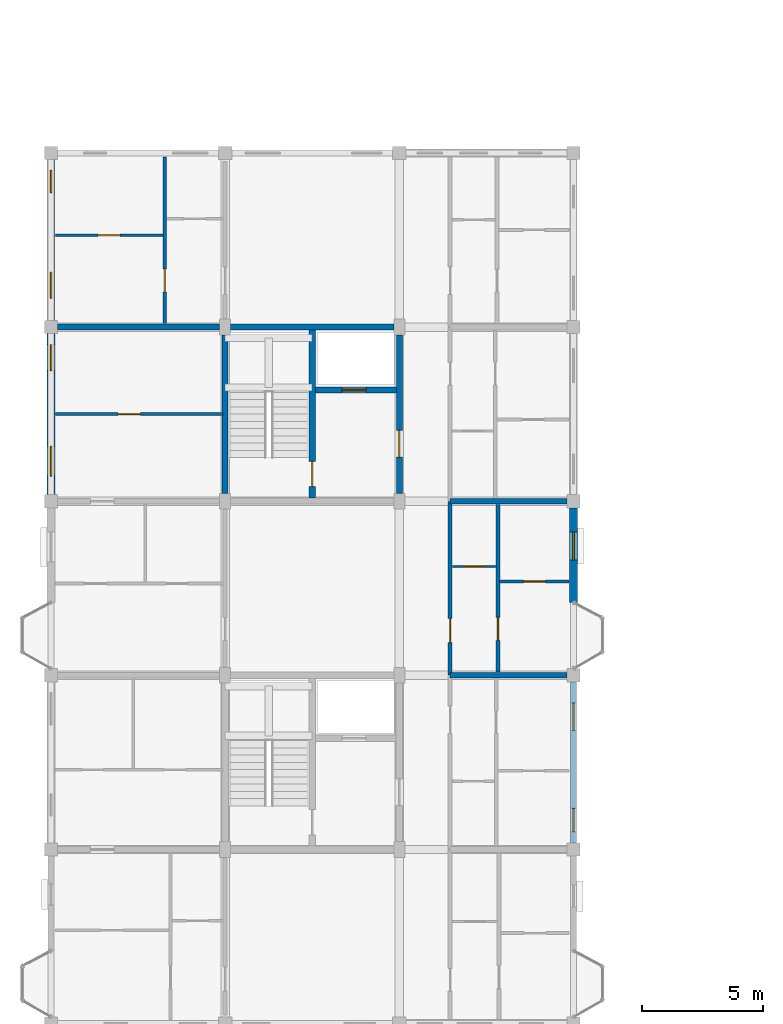
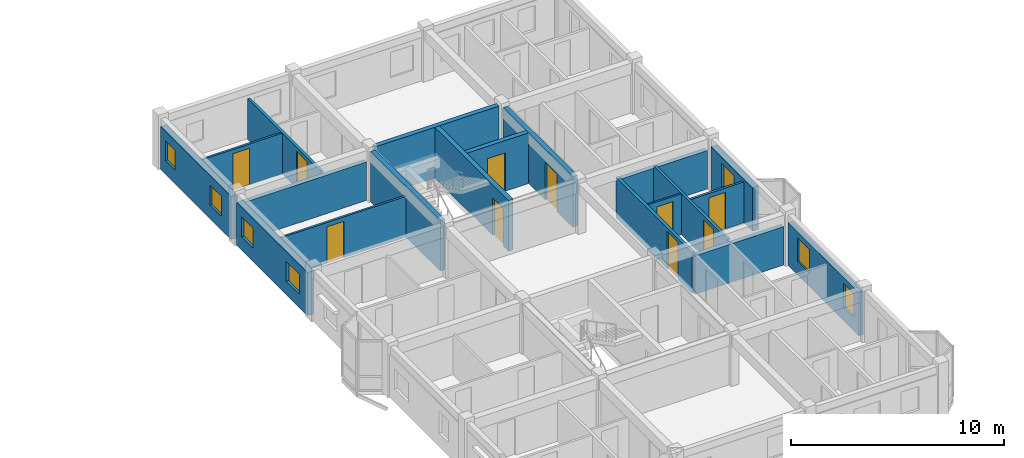
# One storey, part 57 of 77: 19 walls, 10 doors, 7 windows, 17 openings.
"""IFC4 building model written with IfcOpenShell, lengths in metres."""

import ifcopenshell
import ifcopenshell.guid

model = None  # the IFC model being written
_history = None  # IfcOwnerHistory: only IFC2X3 demands one
_inside = {}  # id of a spatial element -> (the spatial element, [elements in it])
_under = {}  # id of a project, library or spatial element -> (it, [spatial elements below it])
_declared = {}  # id of a project -> (the project, [libraries it declares])
_typed = {}  # id of a type object -> (the type object, [elements of that type])
_made_of = {}  # id of a material, layer set ... -> (it, [elements and type objects made of it])


def new_model(schema):
    """Start an empty IFC model of exactly this schema.

    Asked for "IFC4X3", IfcOpenShell would pick the latest addendum, in which some entities
    have other attributes; the version numbers below select the first issue.
    IFC2X3 requires an IfcOwnerHistory on every rooted entity: one is made here for all.
    """
    global model, _history
    if schema == "IFC4X3":
        model = ifcopenshell.file(schema_version=(4, 3, 0, 0))
    else:
        model = ifcopenshell.file(schema=schema)
    _inside.clear()
    _under.clear()
    _declared.clear()
    _typed.clear()
    _made_of.clear()
    _history = None
    if model.schema == "IFC2X3":
        org = make("IfcOrganization", Name="unknown")
        user = make(
            "IfcPersonAndOrganization",
            ThePerson=make("IfcPerson", FamilyName="unknown"),
            TheOrganization=org,
        )
        app = make(
            "IfcApplication",
            ApplicationDeveloper=org,
            Version="unknown",
            ApplicationFullName="unknown",
            ApplicationIdentifier="unknown",
        )
        _history = make(
            "IfcOwnerHistory",
            OwningUser=user,
            OwningApplication=app,
            ChangeAction="ADDED",
            CreationDate=0,
        )
    return model


def make(cls, **values):
    """One entity of the class cls with the attributes given. An attribute that is None is left unset."""
    return model.create_entity(
        cls, **{name: value for name, value in values.items() if value is not None}
    )


def rooted(cls, **values):
    """An entity with a GlobalId (a new one), such as an element, a storey or a relation."""
    return make(cls, GlobalId=ifcopenshell.guid.new(), OwnerHistory=_history, **values)


def si_unit(unit_type, name, prefix=None):
    """IfcSIUnit, for example si_unit("LENGTHUNIT", "METRE", prefix="MILLI")."""
    return make("IfcSIUnit", UnitType=unit_type, Prefix=prefix, Name=name)


def assignment(units):
    """IfcUnitAssignment: the units of a project."""
    return None if units is None else make("IfcUnitAssignment", Units=units)


def point(xyz):
    """IfcCartesianPoint."""
    return None if xyz is None else make("IfcCartesianPoint", Coordinates=xyz)


def direction(xyz):
    """IfcDirection."""
    return None if xyz is None else make("IfcDirection", DirectionRatios=xyz)


def frame(location, z_axis=None, x_axis=None):
    """IfcAxis2Placement3D, a coordinate frame: its origin and axes. An axis left out is left unset."""
    return make(
        "IfcAxis2Placement3D",
        Location=point(location),
        Axis=direction(z_axis),
        RefDirection=direction(x_axis),
    )


def frame_2d(location, x_axis=None):
    """IfcAxis2Placement2D, a coordinate frame in the plane: its origin and x axis."""
    return make(
        "IfcAxis2Placement2D", Location=point(location), RefDirection=direction(x_axis)
    )


def origin():
    """The frame at (0, 0, 0) with its axes left unset."""
    return frame((0.0, 0.0, 0.0))


def place(relative_to, where):
    """IfcLocalPlacement: puts the frame where relative to a parent placement (None: the world)."""
    return make(
        "IfcLocalPlacement", PlacementRelTo=relative_to, RelativePlacement=where
    )


def context(
    kind, dimensions, precision=None, world=None, true_north=None, identifier=None
):
    """IfcGeometricRepresentationContext, for example the 3D "Model" context."""
    return make(
        "IfcGeometricRepresentationContext",
        ContextIdentifier=identifier,
        ContextType=kind,
        CoordinateSpaceDimension=dimensions,
        Precision=precision,
        WorldCoordinateSystem=world,
        TrueNorth=true_north,
    )


def subcontext(parent, identifier, kind, view, scale=None):
    """IfcGeometricRepresentationSubContext, for example "Body" below "Model"."""
    return make(
        "IfcGeometricRepresentationSubContext",
        ContextIdentifier=identifier,
        ContextType=kind,
        ParentContext=parent,
        TargetScale=scale,
        TargetView=view,
    )


def project(units=None, contexts=None):
    """IfcProject with its units and contexts."""
    return rooted(
        "IfcProject",
        Name="project",
        RepresentationContexts=contexts,
        UnitsInContext=assignment(units),
    )


def spatial(cls, under=None, at=None, **own):
    """A site, building, storey or space (cls), placed at a placement, below another one or the project."""
    s = rooted(cls, ObjectPlacement=at, **own)
    if under is not None:
        _under.setdefault(under.id(), (under, []))[1].append(s)
    return s


def profile(cls, at=None, kind="AREA", **sizes):
    """A parametric profile (cls). Its sizes go by their IFC names, for example OverallWidth=200.0."""
    return make(cls, ProfileType=kind, Position=at, **sizes)


def rectangle(**sizes):
    """IfcRectangleProfileDef."""
    return profile("IfcRectangleProfileDef", **sizes)


def extrude(swept, where, along, depth):
    """IfcExtrudedAreaSolid: the profile swept, set in the frame where, extruded along a direction by depth."""
    return make(
        "IfcExtrudedAreaSolid",
        SweptArea=swept,
        Position=where,
        ExtrudedDirection=direction(along),
        Depth=depth,
    )


def shape(context_of_items, identifier, shape_type, items):
    """IfcShapeRepresentation: the items that make up one representation, for example the "Body"."""
    return make(
        "IfcShapeRepresentation",
        ContextOfItems=context_of_items,
        RepresentationIdentifier=identifier,
        RepresentationType=shape_type,
        Items=items,
    )


def material(Name=None, Category=None):
    """IfcMaterial."""
    return make("IfcMaterial", Name=Name, Category=Category)


def layer(
    of_material, thickness, ventilated=None, Name=None, Category=None, Priority=None
):
    """IfcMaterialLayer: one layer of a wall or slab, of a material (None: an air gap)."""
    return make(
        "IfcMaterialLayer",
        Material=of_material,
        LayerThickness=thickness,
        IsVentilated=ventilated,
        Name=Name,
        Category=Category,
        Priority=Priority,
    )


def layer_set(layers, Name=None):
    """IfcMaterialLayerSet."""
    return make("IfcMaterialLayerSet", MaterialLayers=layers, LayerSetName=Name)


def made_of(thing, what):
    """Note that an element or type object is made of a material, layer set ...; save() writes the relation."""
    if what is not None:
        _made_of.setdefault(what.id(), (what, []))[1].append(thing)
    return thing


def type_object(cls, material=None, **own):
    """A type object (cls), such as IfcWallType, which elements share."""
    return made_of(rooted(cls, **own), material)


def element(
    cls,
    number,
    at=None,
    inside=None,
    cuts=None,
    type_object=None,
    material=None,
    context=None,
    identifier="Body",
    shape_type=None,
    held_by="IfcProductDefinitionShape",
    body=None,
    shapes=None,
    **own,
):
    """One element of the class cls, such as IfcWall. Its Tag is "e" and its number.

    at: its placement. inside: the storey or other place that contains it. cuts: it is an
    opening in that element (IfcRelVoidsElement). A single representation is given by context,
    identifier, shape_type and body (its items); several are given by shapes. held_by: the class
    of the entity that holds the representations. save() writes the other relations.
    """
    e = rooted(cls, Tag="e%d" % number, ObjectPlacement=at, **own)
    if body is not None:
        shapes = [shape(context, identifier, shape_type, body)]
    if shapes is not None:
        e.Representation = make(held_by, Representations=shapes)
    if inside is not None:
        _inside.setdefault(inside.id(), (inside, []))[1].append(e)
    if cuts is not None:
        rooted(
            "IfcRelVoidsElement", RelatingBuildingElement=cuts, RelatedOpeningElement=e
        )
    if type_object is not None:
        _typed.setdefault(type_object.id(), (type_object, []))[1].append(e)
    return made_of(e, material)


def fill(opening, filler):
    """IfcRelFillsElement: the door or window that sits in an opening."""
    return rooted(
        "IfcRelFillsElement",
        RelatingOpeningElement=opening,
        RelatedBuildingElement=filler,
    )


def aggregate(whole, parts):
    """IfcRelAggregates: a whole, such as a stair, and the parts it consists of."""
    return rooted("IfcRelAggregates", RelatingObject=whole, RelatedObjects=parts)


def save(model, path):
    """Write the relations noted so far, then the file.

    IfcRelAggregates (storeys below a building ...), IfcRelContainedInSpatialStructure (elements
    in a storey), IfcRelDefinesByType, IfcRelAssociatesMaterial and IfcRelDeclares: one each for
    every whole, place, type object, material and project.
    """
    for whole, parts in _under.values():
        aggregate(whole, parts)
    for where, things in _inside.values():
        rooted(
            "IfcRelContainedInSpatialStructure",
            RelatedElements=things,
            RelatingStructure=where,
        )
    for kind, things in _typed.values():
        rooted("IfcRelDefinesByType", RelatedObjects=things, RelatingType=kind)
    for what, things in _made_of.values():
        rooted("IfcRelAssociatesMaterial", RelatedObjects=things, RelatingMaterial=what)
    for by, libraries in _declared.values():
        rooted("IfcRelDeclares", RelatingContext=by, RelatedDefinitions=libraries)
    model.write(path)


model = new_model("IFC4")

# Units and contexts
model_context = context("Model", 3, precision=1e-05, world=origin(), true_north=direction((0.0, 1.0)))
body_context = subcontext(model_context, "Body", "Model", "MODEL_VIEW")
ifc_project = project(units=[si_unit("LENGTHUNIT", "METRE"), si_unit("AREAUNIT", "SQUARE_METRE"), si_unit("VOLUMEUNIT", "CUBIC_METRE"), si_unit("PLANEANGLEUNIT", "RADIAN"), si_unit("MASSUNIT", "GRAM", prefix="KILO"), si_unit("THERMODYNAMICTEMPERATUREUNIT", "KELVIN"), si_unit("POWERUNIT", "WATT")], contexts=[model_context])

# Site, building, storey
site_placement = place(None, origin())
site = spatial("IfcSite", under=ifc_project, at=site_placement, CompositionType="ELEMENT")
building_placement = place(site_placement, origin())
building = spatial("IfcBuilding", under=site, at=building_placement, Name="Tavuni Mirador Residences", CompositionType="ELEMENT")
storey_placement = place(building_placement, frame((0.0, 0.0, 17.10009765625)))
storey = spatial("IfcBuildingStorey", under=building, at=storey_placement, Name="L05", CompositionType="ELEMENT", Elevation=17.10009765625)

# Walls
ifc_material_1 = material(Name="Precast concrete C40/50", Category="concrete")
ifc_layer_1 = layer(ifc_material_1, 0.25, Name="Precast concrete C40/50", Category="concrete")
ifc_layer_set_1 = layer_set([ifc_layer_1], Name="Precast concrete C40/50")
wall_type_1 = type_object("IfcWallType", Name="WT-COR250", PredefinedType="SHEAR", material=ifc_layer_set_1)
wall_1_placement = place(storey_placement, frame((10.800048828125, 86.72509765625, 0.0), z_axis=(0.0, 0.0, 1.0), x_axis=(0.0, 1.0, 0.0)))
element("IfcWall", 1, at=wall_1_placement, inside=storey, type_object=wall_type_1, Name="CWALL-C4-L05-W", PredefinedType="SHEAR", context=body_context, shape_type="SweptSolid", body=[
    extrude(rectangle(XDim=6.5498046875, YDim=0.25, at=frame_2d((3.27490234375, 0.0))), origin(), (0.0, 0.0, 1.0), 2.909912109375),
])
wall_2_placement = place(storey_placement, frame((11.02490234375, 93.60009765625, 0.0), z_axis=(0.0, 0.0, 1.0), x_axis=(1.0, 0.0, 0.0)))
element("IfcWall", 2, at=wall_2_placement, inside=storey, type_object=wall_type_1, Name="CWALL-C4-L05-N", PredefinedType="SHEAR", context=body_context, shape_type="SweptSolid", body=[
    extrude(rectangle(XDim=6.75, YDim=0.25, at=frame_2d((3.375, 0.0))), origin(), (0.0, 0.0, 1.0), 2.909912109375),
])

# Wall, opening, door
wall_3_placement = place(storey_placement, frame((18.0, 86.72509765625, 0.0), z_axis=(0.0, 0.0, 1.0), x_axis=(0.0, 1.0, 0.0)))
wall_3 = element("IfcWall", 3, at=wall_3_placement, inside=storey, type_object=wall_type_1, Name="CWALL-C4-L05-E", PredefinedType="SHEAR", context=body_context, shape_type="SweptSolid", body=[
    extrude(rectangle(XDim=6.5498046875, YDim=0.25, at=frame_2d((3.27490234375, 0.0))), origin(), (0.0, 0.0, 1.0), 2.909912109375),
])
opening_1_placement = place(wall_3_placement, frame((1.5, 0.0, 0.0)))
opening_1 = element("IfcOpeningElement", 4, at=opening_1_placement, cuts=wall_3, Name="Opening D-02", PredefinedType="OPENING", context=body_context, shape_type="SweptSolid", body=[
    extrude(rectangle(XDim=1.10009765625, YDim=2.14990234375, at=frame_2d((0.550048828125, 1.074951171875))), frame((0.0, 0.135009765625, 0.0), z_axis=(0.0, -1.0, 0.0), x_axis=(1.0, 0.0, 0.0)), (0.0, 0.0, 1.0), 0.27001953125),
])
ifc_material_2 = material(Name="Solid core iroko timber", Category="wood")
door_type_1 = type_object("IfcDoorType", Name="DT-LOB1100", OperationType="NOTDEFINED", PredefinedType="DOOR", material=ifc_material_2)
door_1_placement = place(opening_1_placement, frame((1.10009765625, 0.0, 0.0), z_axis=(0.0, 0.0, 1.0), x_axis=(-1.0, 0.0, 0.0)))
door_1 = element("IfcDoor", 5, at=door_1_placement, inside=storey, type_object=door_type_1, Name="DR-2159", OperationType="SINGLE_SWING_RIGHT", OverallHeight=2.14990234375, OverallWidth=1.10009765625, PredefinedType="DOOR", context=body_context, shape_type="SweptSolid", body=[
    extrude(rectangle(XDim=1.10009765625, YDim=2.14990234375, at=frame_2d((0.550048828125, 1.074951171875))), frame((0.0, 0.02490234375, 0.0), z_axis=(0.0, -1.0, 0.0), x_axis=(1.0, 0.0, 0.0)), (0.0, 0.0, 1.0), 0.050048828125),
])
fill(opening_1, door_1)

wall_4_placement = place(storey_placement, frame((14.39990234375, 86.52490234375, 0.0), z_axis=(0.0, 0.0, 1.0), x_axis=(0.0, 1.0, 0.0)))
wall_4 = element("IfcWall", 6, at=wall_4_placement, inside=storey, type_object=wall_type_1, Name="CWALL-C4-L05-MID", PredefinedType="SHEAR", context=body_context, shape_type="SweptSolid", body=[
    extrude(rectangle(XDim=6.9501953125, YDim=0.25, at=frame_2d((3.47509765625, 0.0))), origin(), (0.0, 0.0, 1.0), 2.909912109375),
])
opening_2_placement = place(wall_4_placement, frame((0.47509765625, 0.0, 0.0)))
opening_2 = element("IfcOpeningElement", 7, at=opening_2_placement, cuts=wall_4, Name="Opening D-01", PredefinedType="OPENING", context=body_context, shape_type="SweptSolid", body=[
    extrude(rectangle(XDim=1.050048828125, YDim=2.14990234375, at=frame_2d((0.52490234375, 1.074951171875))), frame((0.0, 0.135009765625, 0.0), z_axis=(0.0, -1.0, 0.0), x_axis=(1.0, 0.0, 0.0)), (0.0, 0.0, 1.0), 0.27001953125),
])
door_type_2 = type_object("IfcDoorType", Name="DT-ST1050", OperationType="NOTDEFINED", PredefinedType="DOOR", material=ifc_material_2)
door_2_placement = place(opening_2_placement, origin())
door_2 = element("IfcDoor", 8, at=door_2_placement, inside=storey, type_object=door_type_2, Name="DR-2160", OperationType="SINGLE_SWING_RIGHT", OverallHeight=2.14990234375, OverallWidth=1.050048828125, PredefinedType="DOOR", context=body_context, shape_type="SweptSolid", body=[
    extrude(rectangle(XDim=1.050048828125, YDim=2.14990234375, at=frame_2d((0.52490234375, 1.074951171875))), frame((0.0, 0.02490234375, 0.0), z_axis=(0.0, -1.0, 0.0), x_axis=(1.0, 0.0, 0.0)), (0.0, 0.0, 1.0), 0.050048828125),
])
fill(opening_2, door_2)

wall_5_placement = place(storey_placement, frame((14.52490234375, 91.0, 0.0), z_axis=(0.0, 0.0, 1.0), x_axis=(1.0, 0.0, 0.0)))
wall_5 = element("IfcWall", 9, at=wall_5_placement, inside=storey, type_object=wall_type_1, Name="CWALL-C4-L05-SHF", PredefinedType="SHEAR", context=body_context, shape_type="SweptSolid", body=[
    extrude(rectangle(XDim=3.35009765625, YDim=0.25, at=frame_2d((1.675048828125, 0.0))), origin(), (0.0, 0.0, 1.0), 2.909912109375),
])
opening_3_placement = place(wall_5_placement, frame((1.10009765625, 0.0, 0.0)))
opening_3 = element("IfcOpeningElement", 10, at=opening_3_placement, cuts=wall_5, Name="Opening LD-02", PredefinedType="OPENING", context=body_context, shape_type="SweptSolid", body=[
    extrude(rectangle(XDim=1.0, YDim=2.199951171875, at=frame_2d((0.5, 1.10009765625))), frame((0.0, 0.135009765625, 0.0), z_axis=(0.0, -1.0, 0.0), x_axis=(1.0, 0.0, 0.0)), (0.0, 0.0, 1.0), 0.27001953125),
])
ifc_material_3 = material(Name="Structural steel S355", Category="steel")
door_type_3 = type_object("IfcDoorType", Name="DT-LD-PAX", OperationType="SLIDING_TO_LEFT", PredefinedType="DOOR", material=ifc_material_3)
door_3_placement = place(opening_3_placement, origin())
door_3 = element("IfcDoor", 11, at=door_3_placement, inside=storey, type_object=door_type_3, Name="Lift landing door PL-B2 L05", OperationType="SLIDING_TO_LEFT", OverallHeight=2.199951171875, OverallWidth=1.0, PredefinedType="DOOR", context=body_context, shape_type="SweptSolid", body=[
    extrude(rectangle(XDim=1.0, YDim=2.199951171875, at=frame_2d((0.5, 1.10009765625))), frame((0.0, 0.02490234375, 0.0), z_axis=(0.0, -1.0, 0.0), x_axis=(1.0, 0.0, 0.0)), (0.0, 0.0, 1.0), 0.050048828125),
])
fill(opening_3, door_3)

ifc_layer_2 = layer(ifc_material_1, 0.1650390625, Name="Precast concrete C40/50", Category="concrete")
ifc_layer_set_2 = layer_set([ifc_layer_2], Name="Precast concrete C40/50")
wall_type_2 = type_object("IfcWallType", Name="WT-CORR165", PredefinedType="PARTITIONING", material=ifc_layer_set_2)
wall_6_placement = place(storey_placement, frame((20.10009765625, 79.219970703125, 0.0), z_axis=(0.0, 0.0, 1.0), x_axis=(0.0, 1.0, 0.0)))
wall_6 = element("IfcWall", 12, at=wall_6_placement, inside=storey, type_object=wall_type_2, Name="CORW-BLK-B-L05-0-02", PredefinedType="PARTITIONING", context=body_context, shape_type="SweptSolid", body=[
    extrude(rectangle(XDim=7.159912109375, YDim=0.1650390625, at=frame_2d((3.580078125, 0.0))), origin(), (0.0, 0.0, 1.0), 2.344970703125),
])
opening_4_placement = place(wall_6_placement, frame((1.330078125, 0.0, 0.0)))
opening_4 = element("IfcOpeningElement", 13, at=opening_4_placement, cuts=wall_6, Name="Opening D-03", PredefinedType="OPENING", context=body_context, shape_type="SweptSolid", body=[
    extrude(rectangle(XDim=1.0, YDim=2.14990234375, at=frame_2d((0.5, 1.074951171875))), frame((0.0, 0.092529296875, 0.0), z_axis=(0.0, -1.0, 0.0), x_axis=(1.0, 0.0, 0.0)), (0.0, 0.0, 1.0), 0.18505859375),
])
door_type_4 = type_object("IfcDoorType", Name="DT-FD60-1000", OperationType="NOTDEFINED", PredefinedType="DOOR", material=ifc_material_2)
door_4_placement = place(opening_4_placement, origin())
door_4 = element("IfcDoor", 14, at=door_4_placement, inside=storey, type_object=door_type_4, Name="DR-2571", OperationType="SINGLE_SWING_RIGHT", OverallHeight=2.14990234375, OverallWidth=1.0, PredefinedType="DOOR", context=body_context, shape_type="SweptSolid", body=[
    extrude(rectangle(XDim=1.0, YDim=2.14990234375, at=frame_2d((0.5, 1.074951171875))), frame((0.0, 0.02490234375, 0.0), z_axis=(0.0, -1.0, 0.0), x_axis=(1.0, 0.0, 0.0)), (0.0, 0.0, 1.0), 0.050048828125),
])
fill(opening_4, door_4)

# Wall, opening, window
ifc_layer_3 = layer(ifc_material_1, 0.330078125, Name="Precast concrete C40/50", Category="concrete")
ifc_layer_set_3 = layer_set([ifc_layer_3], Name="Precast concrete C40/50")
wall_type_3 = type_object("IfcWallType", Name="WT-EXT-COR330", PredefinedType="SOLIDWALL", material=ifc_layer_set_3)
wall_7_placement = place(storey_placement, frame((25.199951171875, 82.219970703125, 0.0), z_axis=(0.0, 0.0, 1.0), x_axis=(0.0, 1.0, 0.0)))
wall_7 = element("IfcWall", 15, at=wall_7_placement, inside=storey, type_object=wall_type_3, Name="EW-BLK-B-L05-E02", PredefinedType="SOLIDWALL", context=body_context, shape_type="SweptSolid", body=[
    extrude(rectangle(XDim=3.905029296875, YDim=0.330078125, at=frame_2d((1.95263671875, 0.0))), origin(), (0.0, 0.0, 1.0), 2.47998046875),
])
opening_5_placement = place(wall_7_placement, frame((1.757568359375, 0.0, 0.780029296875)))
opening_5 = element("IfcOpeningElement", 16, at=opening_5_placement, cuts=wall_7, Name="Opening WN-20", PredefinedType="OPENING", context=body_context, shape_type="SweptSolid", body=[
    extrude(rectangle(XDim=1.139892578125, YDim=1.360107421875, at=frame_2d((0.56982421875, 0.68017578125))), frame((0.0, 0.175048828125, 0.0), z_axis=(0.0, -1.0, 0.0), x_axis=(1.0, 0.0, 0.0)), (0.0, 0.0, 1.0), 0.35009765625),
])
ifc_material_4 = material(Name="Laminated solar-control glass", Category="glass")
window_type_1 = type_object("IfcWindowType", Name="WNT-20", PartitioningType="SINGLE_PANEL", PredefinedType="WINDOW", material=ifc_material_4)
window_1_placement = place(opening_5_placement, origin())
window_1 = element("IfcWindow", 17, at=window_1_placement, inside=storey, type_object=window_type_1, Name="WIN-0704", OverallHeight=1.360107421875, OverallWidth=1.139892578125, PartitioningType="SINGLE_PANEL", PredefinedType="WINDOW", context=body_context, shape_type="SweptSolid", body=[
    extrude(rectangle(XDim=1.139892578125, YDim=1.360107421875, at=frame_2d((0.56982421875, 0.68017578125))), frame((0.0, 0.030029296875, 0.0), z_axis=(0.0, -1.0, 0.0), x_axis=(1.0, 0.0, 0.0)), (0.0, 0.0, 1.0), 0.06005859375),
])
fill(opening_5, window_1)

# Wall, openings, windows
ifc_material_5 = material(Name="Sgraffito lime-rendered precast concrete C40/50", Category="concrete")
ifc_layer_4 = layer(ifc_material_5, 0.2451171875, Name="Sgraffito lime-rendered precast concrete C40/50", Category="concrete")
ifc_layer_set_4 = layer_set([ifc_layer_4], Name="Sgraffito lime-rendered precast concrete C40/50")
wall_type_4 = type_object("IfcWallType", Name="WT-EXT-PC245", PredefinedType="SOLIDWALL", material=ifc_layer_set_4)
wall_8_placement = place(storey_placement, frame((25.199951171875, 72.27490234375, 0.0), z_axis=(0.0, 0.0, 1.0), x_axis=(0.0, 1.0, 0.0)))
wall_8 = element("IfcWall", 18, at=wall_8_placement, inside=storey, type_object=wall_type_4, Name="EW-BLK-B-L05-E01", PredefinedType="SOLIDWALL", context=body_context, shape_type="SweptSolid", body=[
    extrude(rectangle(XDim=6.650146484375, YDim=0.2451171875, at=frame_2d((3.3251953125, 0.0))), origin(), (0.0, 0.0, 1.0), 2.47998046875),
])
opening_6_placement = place(wall_8_placement, frame((0.449951171875, 0.0, 0.780029296875)))
opening_6 = element("IfcOpeningElement", 19, at=opening_6_placement, cuts=wall_8, Name="Opening WN-18", PredefinedType="OPENING", context=body_context, shape_type="SweptSolid", body=[
    extrude(rectangle(XDim=0.97998046875, YDim=1.360107421875, at=frame_2d((0.489990234375, 0.68017578125))), frame((0.0, 0.132568359375, 0.0), z_axis=(0.0, -1.0, 0.0), x_axis=(1.0, 0.0, 0.0)), (0.0, 0.0, 1.0), 0.26513671875),
])
opening_7_placement = place(wall_8_placement, frame((4.64990234375, 0.0, 0.780029296875)))
opening_7 = element("IfcOpeningElement", 20, at=opening_7_placement, cuts=wall_8, Name="Opening WN-20", PredefinedType="OPENING", context=body_context, shape_type="SweptSolid", body=[
    extrude(rectangle(XDim=1.139892578125, YDim=1.360107421875, at=frame_2d((0.56982421875, 0.68017578125))), frame((0.0, 0.132568359375, 0.0), z_axis=(0.0, -1.0, 0.0), x_axis=(1.0, 0.0, 0.0)), (0.0, 0.0, 1.0), 0.26513671875),
])
window_type_2 = type_object("IfcWindowType", Name="WNT-18", PartitioningType="SINGLE_PANEL", PredefinedType="WINDOW", material=ifc_material_4)
window_2_placement = place(opening_6_placement, origin())
window_2 = element("IfcWindow", 21, at=window_2_placement, inside=storey, type_object=window_type_2, Name="WIN-0702", OverallHeight=1.360107421875, OverallWidth=0.97998046875, PartitioningType="SINGLE_PANEL", PredefinedType="WINDOW", context=body_context, shape_type="SweptSolid", body=[
    extrude(rectangle(XDim=0.97998046875, YDim=1.360107421875, at=frame_2d((0.489990234375, 0.68017578125))), frame((0.0, 0.030029296875, 0.0), z_axis=(0.0, -1.0, 0.0), x_axis=(1.0, 0.0, 0.0)), (0.0, 0.0, 1.0), 0.06005859375),
])
fill(opening_6, window_2)
window_3_placement = place(opening_7_placement, origin())
window_3 = element("IfcWindow", 22, at=window_3_placement, inside=storey, type_object=window_type_1, Name="WIN-0703", OverallHeight=1.360107421875, OverallWidth=1.139892578125, PartitioningType="SINGLE_PANEL", PredefinedType="WINDOW", context=body_context, shape_type="SweptSolid", body=[
    extrude(rectangle(XDim=1.139892578125, YDim=1.360107421875, at=frame_2d((0.56982421875, 0.68017578125))), frame((0.0, 0.030029296875, 0.0), z_axis=(0.0, -1.0, 0.0), x_axis=(1.0, 0.0, 0.0)), (0.0, 0.0, 1.0), 0.06005859375),
])
fill(opening_7, window_3)

ifc_layer_5 = layer(ifc_material_5, 0.304931640625, Name="Sgraffito lime-rendered precast concrete C40/50", Category="concrete")
ifc_layer_set_5 = layer_set([ifc_layer_5], Name="Sgraffito lime-rendered precast concrete C40/50")
wall_type_5 = type_object("IfcWallType", Name="WT-EXT-PC305", PredefinedType="SOLIDWALL", material=ifc_layer_set_5)
wall_9_placement = place(storey_placement, frame((3.60009765625, 100.52490234375, 0.0), z_axis=(0.0, 0.0, 1.0), x_axis=(0.0, -1.0, 0.0)))
wall_9 = element("IfcWall", 23, at=wall_9_placement, inside=storey, type_object=wall_type_5, Name="EW-BLK-B-L05-W04", PredefinedType="SOLIDWALL", context=body_context, shape_type="SweptSolid", body=[
    extrude(rectangle(XDim=6.64990234375, YDim=0.304931640625, at=frame_2d((3.324951171875, 0.0))), origin(), (0.0, 0.0, 1.0), 2.47998046875),
])
opening_8_placement = place(wall_9_placement, frame((0.449951171875, 0.0, 0.780029296875)))
opening_8 = element("IfcOpeningElement", 24, at=opening_8_placement, cuts=wall_9, Name="Opening WN-02", PredefinedType="OPENING", context=body_context, shape_type="SweptSolid", body=[
    extrude(rectangle(XDim=0.919921875, YDim=1.14990234375, at=frame_2d((0.4599609375, 0.574951171875))), frame((0.0, 0.16259765625, 0.0), z_axis=(0.0, -1.0, 0.0), x_axis=(1.0, 0.0, 0.0)), (0.0, 0.0, 1.0), 0.324951171875),
])
opening_9_placement = place(wall_9_placement, frame((4.64990234375, 0.0, 0.780029296875)))
opening_9 = element("IfcOpeningElement", 25, at=opening_9_placement, cuts=wall_9, Name="Opening WN-04", PredefinedType="OPENING", context=body_context, shape_type="SweptSolid", body=[
    extrude(rectangle(XDim=1.080078125, YDim=1.14990234375, at=frame_2d((0.5400390625, 0.574951171875))), frame((0.0, 0.16259765625, 0.0), z_axis=(0.0, -1.0, 0.0), x_axis=(1.0, 0.0, 0.0)), (0.0, 0.0, 1.0), 0.324951171875),
])
window_type_3 = type_object("IfcWindowType", Name="WNT-02", PartitioningType="SINGLE_PANEL", PredefinedType="WINDOW", material=ifc_material_4)
window_4_placement = place(opening_8_placement, origin())
window_4 = element("IfcWindow", 26, at=window_4_placement, inside=storey, type_object=window_type_3, Name="WIN-0716", OverallHeight=1.14990234375, OverallWidth=0.919921875, PartitioningType="SINGLE_PANEL", PredefinedType="WINDOW", context=body_context, shape_type="SweptSolid", body=[
    extrude(rectangle(XDim=0.919921875, YDim=1.14990234375, at=frame_2d((0.4599609375, 0.574951171875))), frame((0.0, 0.030029296875, 0.0), z_axis=(0.0, -1.0, 0.0), x_axis=(1.0, 0.0, 0.0)), (0.0, 0.0, 1.0), 0.06005859375),
])
fill(opening_8, window_4)
window_type_4 = type_object("IfcWindowType", Name="WNT-04", PartitioningType="SINGLE_PANEL", PredefinedType="WINDOW", material=ifc_material_4)
window_5_placement = place(opening_9_placement, origin())
window_5 = element("IfcWindow", 27, at=window_5_placement, inside=storey, type_object=window_type_4, Name="WIN-0717", OverallHeight=1.14990234375, OverallWidth=1.080078125, PartitioningType="SINGLE_PANEL", PredefinedType="WINDOW", context=body_context, shape_type="SweptSolid", body=[
    extrude(rectangle(XDim=1.080078125, YDim=1.14990234375, at=frame_2d((0.5400390625, 0.574951171875))), frame((0.0, 0.030029296875, 0.0), z_axis=(0.0, -1.0, 0.0), x_axis=(1.0, 0.0, 0.0)), (0.0, 0.0, 1.0), 0.06005859375),
])
fill(opening_9, window_5)

ifc_layer_6 = layer(ifc_material_5, 0.344970703125, Name="Sgraffito lime-rendered precast concrete C40/50", Category="concrete")
ifc_layer_set_6 = layer_set([ifc_layer_6], Name="Sgraffito lime-rendered precast concrete C40/50")
wall_type_6 = type_object("IfcWallType", Name="WT-EXT-PTY345", PredefinedType="SOLIDWALL", material=ifc_layer_set_6)
wall_10_placement = place(storey_placement, frame((3.60009765625, 93.324951171875, 0.0), z_axis=(0.0, 0.0, 1.0), x_axis=(0.0, -1.0, 0.0)))
wall_10 = element("IfcWall", 28, at=wall_10_placement, inside=storey, type_object=wall_type_6, Name="EW-BLK-B-L05-W03", PredefinedType="SOLIDWALL", context=body_context, shape_type="SweptSolid", body=[
    extrude(rectangle(XDim=6.64990234375, YDim=0.344970703125, at=frame_2d((3.324951171875, 0.0))), origin(), (0.0, 0.0, 1.0), 2.47998046875),
])
opening_10_placement = place(wall_10_placement, frame((0.449951171875, 0.0, 0.780029296875)))
opening_10 = element("IfcOpeningElement", 29, at=opening_10_placement, cuts=wall_10, Name="Opening WN-04", PredefinedType="OPENING", context=body_context, shape_type="SweptSolid", body=[
    extrude(rectangle(XDim=1.080078125, YDim=1.14990234375, at=frame_2d((0.5400390625, 0.574951171875))), frame((0.0, 0.1826171875, 0.0), z_axis=(0.0, -1.0, 0.0), x_axis=(1.0, 0.0, 0.0)), (0.0, 0.0, 1.0), 0.364990234375),
])
opening_11_placement = place(wall_10_placement, frame((4.64990234375, 0.0, 0.780029296875)))
opening_11 = element("IfcOpeningElement", 30, at=opening_11_placement, cuts=wall_10, Name="Opening WN-06", PredefinedType="OPENING", context=body_context, shape_type="SweptSolid", body=[
    extrude(rectangle(XDim=1.239990234375, YDim=1.14990234375, at=frame_2d((0.6201171875, 0.574951171875))), frame((0.0, 0.1826171875, 0.0), z_axis=(0.0, -1.0, 0.0), x_axis=(1.0, 0.0, 0.0)), (0.0, 0.0, 1.0), 0.364990234375),
])
window_6_placement = place(opening_10_placement, origin())
window_6 = element("IfcWindow", 31, at=window_6_placement, inside=storey, type_object=window_type_4, Name="WIN-0718", OverallHeight=1.14990234375, OverallWidth=1.080078125, PartitioningType="SINGLE_PANEL", PredefinedType="WINDOW", context=body_context, shape_type="SweptSolid", body=[
    extrude(rectangle(XDim=1.080078125, YDim=1.14990234375, at=frame_2d((0.5400390625, 0.574951171875))), frame((0.0, 0.030029296875, 0.0), z_axis=(0.0, -1.0, 0.0), x_axis=(1.0, 0.0, 0.0)), (0.0, 0.0, 1.0), 0.06005859375),
])
fill(opening_10, window_6)
window_type_5 = type_object("IfcWindowType", Name="WNT-06", PartitioningType="SINGLE_PANEL", PredefinedType="WINDOW", material=ifc_material_4)
window_7_placement = place(opening_11_placement, origin())
window_7 = element("IfcWindow", 32, at=window_7_placement, inside=storey, type_object=window_type_5, Name="WIN-0719", OverallHeight=1.14990234375, OverallWidth=1.239990234375, PartitioningType="SINGLE_PANEL", PredefinedType="WINDOW", context=body_context, shape_type="SweptSolid", body=[
    extrude(rectangle(XDim=1.239990234375, YDim=1.14990234375, at=frame_2d((0.6201171875, 0.574951171875))), frame((0.0, 0.030029296875, 0.0), z_axis=(0.0, -1.0, 0.0), x_axis=(1.0, 0.0, 0.0)), (0.0, 0.0, 1.0), 0.06005859375),
])
fill(opening_11, window_7)

# Wall, opening, door
ifc_material_6 = material(Name="Acoustic gypsum and concrete block partition", Category="concrete")
ifc_layer_7 = layer(ifc_material_6, 0.094970703125, Name="Acoustic gypsum and concrete block partition", Category="concrete")
ifc_layer_set_7 = layer_set([ifc_layer_7], Name="Acoustic gypsum and concrete block partition")
wall_type_7 = type_object("IfcWallType", Name="WT-PART095", PredefinedType="PARTITIONING", material=ifc_layer_set_7)
wall_11_placement = place(storey_placement, frame((20.18994140625, 83.699951171875, 0.0), z_axis=(0.0, 0.0, 1.0), x_axis=(1.0, 0.0, 0.0)))
wall_11 = element("IfcWall", 33, at=wall_11_placement, inside=storey, type_object=wall_type_7, Name="PW-BLK-B-L05-E02-IN1", PredefinedType="PARTITIONING", context=body_context, shape_type="SweptSolid", body=[
    extrude(rectangle(XDim=1.820068359375, YDim=0.094970703125, at=frame_2d((0.91015625, 0.0))), origin(), (0.0, 0.0, 1.0), 2.344970703125),
])
opening_12_placement = place(wall_11_placement, frame((0.47509765625, 0.0, 0.0)))
opening_12 = element("IfcOpeningElement", 34, at=opening_12_placement, cuts=wall_11, Name="Opening D-10", PredefinedType="OPENING", context=body_context, shape_type="SweptSolid", body=[
    extrude(rectangle(XDim=0.8701171875, YDim=2.050048828125, at=frame_2d((0.43505859375, 1.02490234375))), frame((0.0, 0.0576171875, 0.0), z_axis=(0.0, -1.0, 0.0), x_axis=(1.0, 0.0, 0.0)), (0.0, 0.0, 1.0), 0.114990234375),
])
door_type_5 = type_object("IfcDoorType", Name="DT-WC870", OperationType="NOTDEFINED", PredefinedType="DOOR", material=ifc_material_2)
door_5_placement = place(opening_12_placement, origin())
door_5 = element("IfcDoor", 35, at=door_5_placement, inside=storey, type_object=door_type_5, Name="DR-3570", OperationType="SINGLE_SWING_RIGHT", OverallHeight=2.050048828125, OverallWidth=0.8701171875, PredefinedType="DOOR", context=body_context, shape_type="SweptSolid", body=[
    extrude(rectangle(XDim=0.8701171875, YDim=2.050048828125, at=frame_2d((0.43505859375, 1.02490234375))), frame((0.0, 0.02490234375, 0.0), z_axis=(0.0, -1.0, 0.0), x_axis=(1.0, 0.0, 0.0)), (0.0, 0.0, 1.0), 0.050048828125),
])
fill(opening_12, door_5)

ifc_layer_8 = layer(ifc_material_6, 0.114990234375, Name="Acoustic gypsum and concrete block partition", Category="concrete")
ifc_layer_set_8 = layer_set([ifc_layer_8], Name="Acoustic gypsum and concrete block partition")
wall_type_8 = type_object("IfcWallType", Name="WT-PART115", PredefinedType="PARTITIONING", material=ifc_layer_set_8)
wall_12_placement = place(storey_placement, frame((3.77490234375, 90.0, 0.0), z_axis=(0.0, 0.0, 1.0), x_axis=(1.0, 0.0, 0.0)))
wall_12 = element("IfcWall", 36, at=wall_12_placement, inside=storey, type_object=wall_type_8, Name="PW-BLK-B-L05-PF03-H", PredefinedType="PARTITIONING", context=body_context, shape_type="SweptSolid", body=[
    extrude(rectangle(XDim=6.93505859375, YDim=0.114990234375, at=frame_2d((3.467529296875, 0.0))), origin(), (0.0, 0.0, 1.0), 2.344970703125),
])
opening_13_placement = place(wall_12_placement, frame((2.60009765625, 0.0, 0.0)))
opening_13 = element("IfcOpeningElement", 37, at=opening_13_placement, cuts=wall_12, Name="Opening D-06", PredefinedType="OPENING", context=body_context, shape_type="SweptSolid", body=[
    extrude(rectangle(XDim=0.919921875, YDim=2.10009765625, at=frame_2d((0.4599609375, 1.050048828125))), frame((0.0, 0.0673828125, 0.0), z_axis=(0.0, -1.0, 0.0), x_axis=(1.0, 0.0, 0.0)), (0.0, 0.0, 1.0), 0.135009765625),
])
door_type_6 = type_object("IfcDoorType", Name="DT-INT920", OperationType="NOTDEFINED", PredefinedType="DOOR", material=ifc_material_2)
door_6_placement = place(opening_13_placement, origin())
door_6 = element("IfcDoor", 38, at=door_6_placement, inside=storey, type_object=door_type_6, Name="DR-3572", OperationType="SINGLE_SWING_RIGHT", OverallHeight=2.10009765625, OverallWidth=0.919921875, PredefinedType="DOOR", context=body_context, shape_type="SweptSolid", body=[
    extrude(rectangle(XDim=0.919921875, YDim=2.10009765625, at=frame_2d((0.4599609375, 1.050048828125))), frame((0.0, 0.02490234375, 0.0), z_axis=(0.0, -1.0, 0.0), x_axis=(1.0, 0.0, 0.0)), (0.0, 0.0, 1.0), 0.050048828125),
])
fill(opening_13, door_6)

wall_13_placement = place(storey_placement, frame((3.77490234375, 97.39990234375, 0.0), z_axis=(0.0, 0.0, 1.0), x_axis=(1.0, 0.0, 0.0)))
wall_13 = element("IfcWall", 39, at=wall_13_placement, inside=storey, type_object=wall_type_8, Name="PW-BLK-B-L05-W04-OUT", PredefinedType="PARTITIONING", context=body_context, shape_type="SweptSolid", body=[
    extrude(rectangle(XDim=4.455078125, YDim=0.114990234375, at=frame_2d((2.2275390625, 0.0))), origin(), (0.0, 0.0, 1.0), 2.344970703125),
])
opening_14_placement = place(wall_13_placement, frame((1.777587890625, 0.0, 0.0)))
opening_14 = element("IfcOpeningElement", 40, at=opening_14_placement, cuts=wall_13, Name="Opening D-07", PredefinedType="OPENING", context=body_context, shape_type="SweptSolid", body=[
    extrude(rectangle(XDim=0.89990234375, YDim=2.10009765625, at=frame_2d((0.449951171875, 1.050048828125))), frame((0.0, 0.0673828125, 0.0), z_axis=(0.0, -1.0, 0.0), x_axis=(1.0, 0.0, 0.0)), (0.0, 0.0, 1.0), 0.135009765625),
])
door_type_7 = type_object("IfcDoorType", Name="DT-BED900", OperationType="NOTDEFINED", PredefinedType="DOOR", material=ifc_material_2)
door_7_placement = place(opening_14_placement, origin())
door_7 = element("IfcDoor", 41, at=door_7_placement, inside=storey, type_object=door_type_7, Name="DR-3576", OperationType="SINGLE_SWING_LEFT", OverallHeight=2.10009765625, OverallWidth=0.89990234375, PredefinedType="DOOR", context=body_context, shape_type="SweptSolid", body=[
    extrude(rectangle(XDim=0.89990234375, YDim=2.10009765625, at=frame_2d((0.449951171875, 1.050048828125))), frame((0.0, 0.02490234375, 0.0), z_axis=(0.0, -1.0, 0.0), x_axis=(1.0, 0.0, 0.0)), (0.0, 0.0, 1.0), 0.050048828125),
])
fill(opening_14, door_7)

ifc_layer_9 = layer(ifc_material_6, 0.125, Name="Acoustic gypsum and concrete block partition", Category="concrete")
ifc_layer_set_9 = layer_set([ifc_layer_9], Name="Acoustic gypsum and concrete block partition")
wall_type_9 = type_object("IfcWallType", Name="WT-PART125", PredefinedType="PARTITIONING", material=ifc_layer_set_9)
wall_14_placement = place(storey_placement, frame((22.14990234375, 83.080078125, 0.0), z_axis=(0.0, 0.0, 1.0), x_axis=(1.0, 0.0, 0.0)))
wall_14 = element("IfcWall", 42, at=wall_14_placement, inside=storey, type_object=wall_type_9, Name="PW-BLK-B-L05-E02-OUT", PredefinedType="PARTITIONING", context=body_context, shape_type="SweptSolid", body=[
    extrude(rectangle(XDim=2.875, YDim=0.125, at=frame_2d((1.4375, 0.0))), origin(), (0.0, 0.0, 1.0), 2.344970703125),
])
opening_15_placement = place(wall_14_placement, frame((0.987548828125, 0.0, 0.0)))
opening_15 = element("IfcOpeningElement", 43, at=opening_15_placement, cuts=wall_14, Name="Opening D-07", PredefinedType="OPENING", context=body_context, shape_type="SweptSolid", body=[
    extrude(rectangle(XDim=0.89990234375, YDim=2.10009765625, at=frame_2d((0.449951171875, 1.050048828125))), frame((0.0, 0.072509765625, 0.0), z_axis=(0.0, -1.0, 0.0), x_axis=(1.0, 0.0, 0.0)), (0.0, 0.0, 1.0), 0.14501953125),
])
door_8_placement = place(opening_15_placement, origin())
door_8 = element("IfcDoor", 44, at=door_8_placement, inside=storey, type_object=door_type_7, Name="DR-3569", OperationType="SINGLE_SWING_LEFT", OverallHeight=2.10009765625, OverallWidth=0.89990234375, PredefinedType="DOOR", context=body_context, shape_type="SweptSolid", body=[
    extrude(rectangle(XDim=0.89990234375, YDim=2.10009765625, at=frame_2d((0.449951171875, 1.050048828125))), frame((0.0, 0.02490234375, 0.0), z_axis=(0.0, -1.0, 0.0), x_axis=(1.0, 0.0, 0.0)), (0.0, 0.0, 1.0), 0.050048828125),
])
fill(opening_15, door_8)

ifc_layer_10 = layer(ifc_material_6, 0.139892578125, Name="Acoustic gypsum and concrete block partition", Category="concrete")
ifc_layer_set_10 = layer_set([ifc_layer_10], Name="Acoustic gypsum and concrete block partition")
wall_type_10 = type_object("IfcWallType", Name="WT-PART140", PredefinedType="PARTITIONING", material=ifc_layer_set_10)
wall_15_placement = place(storey_placement, frame((8.300048828125, 93.739990234375, 0.0), z_axis=(0.0, 0.0, 1.0), x_axis=(0.0, 1.0, 0.0)))
wall_15 = element("IfcWall", 45, at=wall_15_placement, inside=storey, type_object=wall_type_10, Name="PW-BLK-B-L05-W04-MID", PredefinedType="PARTITIONING", context=body_context, shape_type="SweptSolid", body=[
    extrude(rectangle(XDim=6.885009765625, YDim=0.139892578125, at=frame_2d((3.4423828125, 0.0))), origin(), (0.0, 0.0, 1.0), 2.344970703125),
])
opening_16_placement = place(wall_15_placement, frame((1.31005859375, 0.0, 0.0)))
opening_16 = element("IfcOpeningElement", 46, at=opening_16_placement, cuts=wall_15, Name="Opening D-05", PredefinedType="OPENING", context=body_context, shape_type="SweptSolid", body=[
    extrude(rectangle(XDim=0.949951171875, YDim=2.10009765625, at=frame_2d((0.47509765625, 1.050048828125))), frame((0.0, 0.080078125, 0.0), z_axis=(0.0, -1.0, 0.0), x_axis=(1.0, 0.0, 0.0)), (0.0, 0.0, 1.0), 0.159912109375),
])
door_type_8 = type_object("IfcDoorType", Name="DT-INT950", OperationType="NOTDEFINED", PredefinedType="DOOR", material=ifc_material_2)
door_9_placement = place(opening_16_placement, origin())
door_9 = element("IfcDoor", 47, at=door_9_placement, inside=storey, type_object=door_type_8, Name="DR-3578", OperationType="SINGLE_SWING_LEFT", OverallHeight=2.10009765625, OverallWidth=0.949951171875, PredefinedType="DOOR", context=body_context, shape_type="SweptSolid", body=[
    extrude(rectangle(XDim=0.949951171875, YDim=2.10009765625, at=frame_2d((0.47509765625, 1.050048828125))), frame((0.0, 0.02490234375, 0.0), z_axis=(0.0, -1.0, 0.0), x_axis=(1.0, 0.0, 0.0)), (0.0, 0.0, 1.0), 0.050048828125),
])
fill(opening_16, door_9)

ifc_layer_11 = layer(ifc_material_6, 0.14990234375, Name="Acoustic gypsum and concrete block partition", Category="concrete")
ifc_layer_set_11 = layer_set([ifc_layer_11], Name="Acoustic gypsum and concrete block partition")
wall_type_11 = type_object("IfcWallType", Name="WT-PART150", PredefinedType="PARTITIONING", material=ifc_layer_set_11)
wall_16_placement = place(storey_placement, frame((22.080078125, 79.340087890625, 0.0), z_axis=(0.0, 0.0, 1.0), x_axis=(0.0, 1.0, 0.0)))
wall_16 = element("IfcWall", 48, at=wall_16_placement, inside=storey, type_object=wall_type_11, Name="PW-BLK-B-L05-E02-MID", PredefinedType="PARTITIONING", context=body_context, shape_type="SweptSolid", body=[
    extrude(rectangle(XDim=6.919921875, YDim=0.14990234375, at=frame_2d((3.4599609375, 0.0))), origin(), (0.0, 0.0, 1.0), 2.344970703125),
])
opening_17_placement = place(wall_16_placement, frame((1.31005859375, 0.0, 0.0)))
opening_17 = element("IfcOpeningElement", 49, at=opening_17_placement, cuts=wall_16, Name="Opening D-05", PredefinedType="OPENING", context=body_context, shape_type="SweptSolid", body=[
    extrude(rectangle(XDim=0.949951171875, YDim=2.10009765625, at=frame_2d((0.47509765625, 1.050048828125))), frame((0.0, 0.0849609375, 0.0), z_axis=(0.0, -1.0, 0.0), x_axis=(1.0, 0.0, 0.0)), (0.0, 0.0, 1.0), 0.169921875),
])
door_10_placement = place(opening_17_placement, origin())
door_10 = element("IfcDoor", 50, at=door_10_placement, inside=storey, type_object=door_type_8, Name="DR-3571", OperationType="SINGLE_SWING_LEFT", OverallHeight=2.10009765625, OverallWidth=0.949951171875, PredefinedType="DOOR", context=body_context, shape_type="SweptSolid", body=[
    extrude(rectangle(XDim=0.949951171875, YDim=2.10009765625, at=frame_2d((0.47509765625, 1.050048828125))), frame((0.0, 0.02490234375, 0.0), z_axis=(0.0, -1.0, 0.0), x_axis=(1.0, 0.0, 0.0)), (0.0, 0.0, 1.0), 0.050048828125),
])
fill(opening_17, door_10)

# Walls
ifc_layer_12 = layer(ifc_material_1, 0.235107421875, Name="Precast concrete C40/50", Category="concrete")
ifc_layer_set_12 = layer_set([ifc_layer_12], Name="Precast concrete C40/50")
wall_type_12 = type_object("IfcWallType", Name="WT-XW235", PredefinedType="SOLIDWALL", material=ifc_layer_set_12)
for number, where, z_axis, x_axis, name in (
    (51, (20.10009765625, 79.199951171875, 0.0), (0.0, 0.0, 1.0), (1.0, 0.0, 0.0), "XW-BLK-B-L05-E-02"),
    (52, (20.10009765625, 86.39990234375, 0.0), (0.0, 0.0, 1.0), (1.0, 0.0, 0.0), "XW-BLK-B-L05-E-03"),
):
    element("IfcWall", number, at=place(storey_placement, frame(where, z_axis=z_axis, x_axis=x_axis)), inside=storey, type_object=wall_type_12, Name=name, PredefinedType="SOLIDWALL", context=body_context, shape_type="SweptSolid", body=[
        extrude(rectangle(XDim=4.824951171875, YDim=0.235107421875, at=frame_2d((2.41259765625, 0.0))), origin(), (0.0, 0.0, 1.0), 2.2099609375),
    ])
wall_17_placement = place(storey_placement, frame((3.875, 93.60009765625, 0.0), z_axis=(0.0, 0.0, 1.0), x_axis=(1.0, 0.0, 0.0)))
element("IfcWall", 53, at=wall_17_placement, inside=storey, type_object=wall_type_12, Name="XW-BLK-B-L05-W-04", PredefinedType="SOLIDWALL", context=body_context, shape_type="SweptSolid", body=[
    extrude(rectangle(XDim=6.699951171875, YDim=0.235107421875, at=frame_2d((3.35009765625, 0.0))), origin(), (0.0, 0.0, 1.0), 2.2099609375),
])

save(model, "model.ifc")
